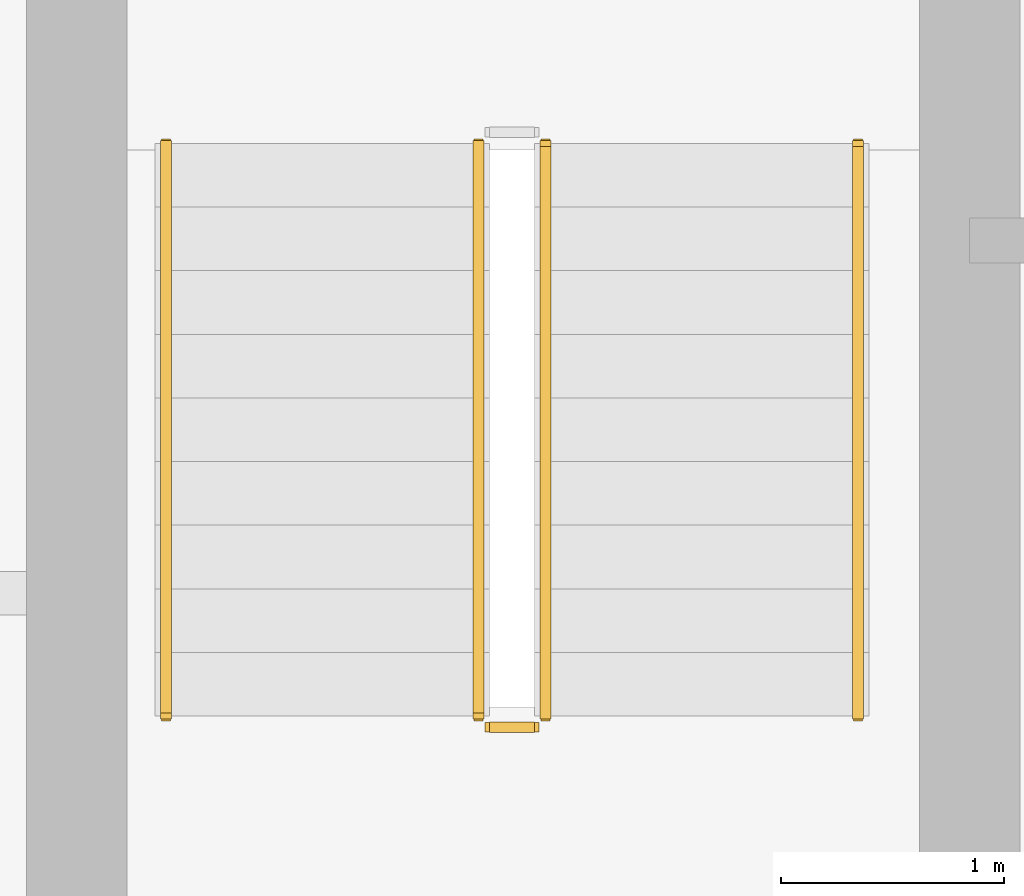
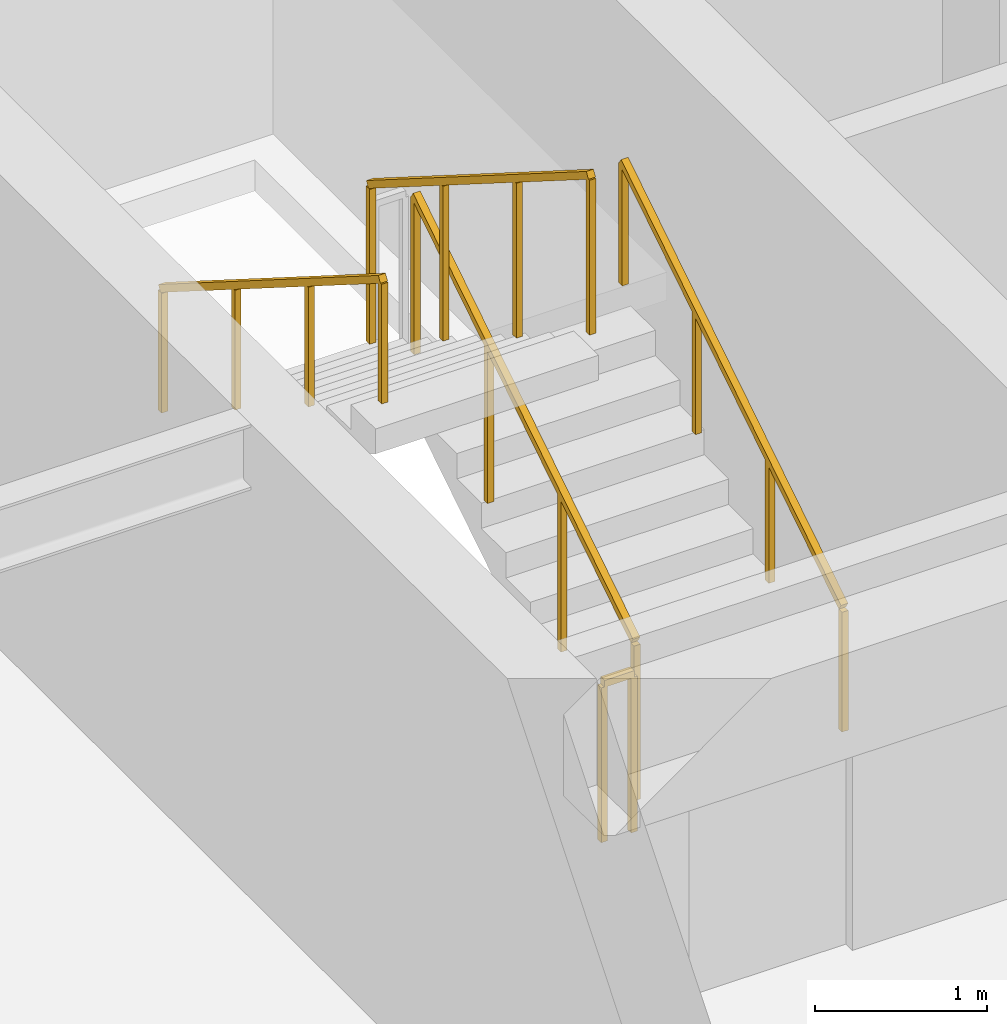
# One storey, part 28 of 30: 5 railings.
"""IFC4 building model written with IfcOpenShell, lengths in metres."""

from ifc_helpers import new_model, si_unit, direction, frame, origin, origin_2d, place, context, subcontext, project, spatial, rectangle, extrude, material, type_object, element, save


model = new_model("IFC4")

# Units and contexts
model_context = context("Model", 3, precision=1e-05, world=origin(), true_north=direction((0.0, 1.0)))
body_context = subcontext(model_context, "Body", "Model", "MODEL_VIEW")
ifc_project = project(units=[si_unit("LENGTHUNIT", "METRE"), si_unit("AREAUNIT", "SQUARE_METRE"), si_unit("VOLUMEUNIT", "CUBIC_METRE"), si_unit("PLANEANGLEUNIT", "RADIAN"), si_unit("MASSUNIT", "GRAM", prefix="KILO")], contexts=[model_context])

# Site, building, storey
site_placement = place(None, origin())
site = spatial("IfcSite", under=ifc_project, at=site_placement, CompositionType="ELEMENT")
building_placement = place(site_placement, origin())
building = spatial("IfcBuilding", under=site, at=building_placement, Name="Sarneth Arch Tower", CompositionType="ELEMENT")
storey_placement = place(building_placement, frame((0.0, 0.0, 161.39990234375)))
storey = spatial("IfcBuildingStorey", under=building, at=storey_placement, Name="L40", CompositionType="ELEMENT", Elevation=161.39990234375)

# Railings
ifc_material_1 = material(Name="Brushed Stainless Steel 304 tubular handrail", Category="steel")
railing_type_1 = type_object("IfcRailingType", Name="RAIL-HANDRAIL-900", PredefinedType="HANDRAIL", material=ifc_material_1)
railing_1_placement = place(storey_placement, frame((40.5, 41.449951171875, 0.18017578125)))
element("IfcRailing", 1, at=railing_1_placement, inside=storey, type_object=railing_type_1, Name="L40 ST-1 stair handrail 1", PredefinedType="HANDRAIL", context=body_context, shape_type="SweptSolid", body=[
    extrude(rectangle(XDim=0.048095703125, YDim=0.048095703125, at=origin_2d()), frame((0.0, 0.0, 0.8759765625), z_axis=(0.0, 0.845502289212, 0.533971796014), x_axis=(-1.0, 0.0, 0.0)), (0.0, 0.0, 1.0), 3.03369140625),
    extrude(rectangle(XDim=0.0419921875, YDim=0.0419921875, at=origin_2d()), origin(), (0.0, 0.0, 1.0), 0.851806640625),
    extrude(rectangle(XDim=0.0419921875, YDim=0.0419921875, at=origin_2d()), frame((0.0, 0.85498046875, 0.5400390625)), (0.0, 0.0, 1.0), 0.851806640625),
    extrude(rectangle(XDim=0.0419921875, YDim=0.0419921875, at=origin_2d()), frame((0.0, 1.7099609375, 1.079833984375)), (0.0, 0.0, 1.0), 0.851806640625),
    extrude(rectangle(XDim=0.0419921875, YDim=0.0419921875, at=origin_2d()), frame((0.0, 2.56494140625, 1.619873046875)), (0.0, 0.0, 1.0), 0.851806640625),
])
railing_2_placement = place(storey_placement, frame((37.39990234375, 44.014892578125, 1.97998046875)))
element("IfcRailing", 2, at=railing_2_placement, inside=storey, type_object=railing_type_1, Name="L40 ST-1 stair handrail 2", PredefinedType="HANDRAIL", context=body_context, shape_type="SweptSolid", body=[
    extrude(rectangle(XDim=0.048095703125, YDim=0.048095703125, at=origin_2d()), frame((0.0, 0.0, 0.8759765625), z_axis=(0.0, -0.845465955043, 0.534029323973), x_axis=(1.0, 0.0, 0.0)), (0.0, 0.0, 1.0), 3.03369140625),
    extrude(rectangle(XDim=0.0419921875, YDim=0.0419921875, at=origin_2d()), origin(), (0.0, 0.0, 1.0), 0.851806640625),
    extrude(rectangle(XDim=0.0419921875, YDim=0.0419921875, at=origin_2d()), frame((0.0, -0.85498046875, 0.5400390625)), (0.0, 0.0, 1.0), 0.851806640625),
    extrude(rectangle(XDim=0.0419921875, YDim=0.0419921875, at=origin_2d()), frame((0.0, -1.7099609375, 1.080078125)), (0.0, 0.0, 1.0), 0.851806640625),
    extrude(rectangle(XDim=0.0419921875, YDim=0.0419921875, at=origin_2d()), frame((0.0, -2.56494140625, 1.6201171875)), (0.0, 0.0, 1.0), 0.851806640625),
])
ifc_material_2 = material(Name="Painted Steel S275 stair well guard", Category="steel")
railing_type_2 = type_object("IfcRailingType", Name="RAIL-STAIR-GUARD", PredefinedType="GUARDRAIL", material=ifc_material_2)
railing_3_placement = place(storey_placement, frame((39.10009765625, 41.449951171875, 0.18017578125)))
element("IfcRailing", 3, at=railing_3_placement, inside=storey, type_object=railing_type_2, Name="L40 ST-1 stair guard 1", PredefinedType="GUARDRAIL", context=body_context, shape_type="SweptSolid", body=[
    extrude(rectangle(XDim=0.048095703125, YDim=0.048095703125, at=origin_2d()), frame((0.0, 0.0, 1.1259765625), z_axis=(0.0, 0.845502289212, 0.533971796014), x_axis=(-1.0, 0.0, 0.0)), (0.0, 0.0, 1.0), 3.03369140625),
    extrude(rectangle(XDim=0.0419921875, YDim=0.0419921875, at=origin_2d()), origin(), (0.0, 0.0, 1.0), 1.101806640625),
    extrude(rectangle(XDim=0.0419921875, YDim=0.0419921875, at=origin_2d()), frame((0.0, 0.85498046875, 0.5400390625)), (0.0, 0.0, 1.0), 1.101806640625),
    extrude(rectangle(XDim=0.0419921875, YDim=0.0419921875, at=origin_2d()), frame((0.0, 1.7099609375, 1.079833984375)), (0.0, 0.0, 1.0), 1.101806640625),
    extrude(rectangle(XDim=0.0419921875, YDim=0.0419921875, at=origin_2d()), frame((0.0, 2.56494140625, 1.619873046875)), (0.0, 0.0, 1.0), 1.101806640625),
])
railing_4_placement = place(storey_placement, frame((38.800048828125, 44.014892578125, 1.97998046875)))
element("IfcRailing", 4, at=railing_4_placement, inside=storey, type_object=railing_type_2, Name="L40 ST-1 stair guard 3", PredefinedType="GUARDRAIL", context=body_context, shape_type="SweptSolid", body=[
    extrude(rectangle(XDim=0.048095703125, YDim=0.048095703125, at=origin_2d()), frame((0.0, 0.0, 1.1259765625), z_axis=(0.0, -0.845465955043, 0.534029323973), x_axis=(1.0, 0.0, 0.0)), (0.0, 0.0, 1.0), 3.03369140625),
    extrude(rectangle(XDim=0.0419921875, YDim=0.0419921875, at=origin_2d()), origin(), (0.0, 0.0, 1.0), 1.101806640625),
    extrude(rectangle(XDim=0.0419921875, YDim=0.0419921875, at=origin_2d()), frame((0.0, -0.85498046875, 0.5400390625)), (0.0, 0.0, 1.0), 1.101806640625),
    extrude(rectangle(XDim=0.0419921875, YDim=0.0419921875, at=origin_2d()), frame((0.0, -1.7099609375, 1.080078125)), (0.0, 0.0, 1.0), 1.101806640625),
    extrude(rectangle(XDim=0.0419921875, YDim=0.0419921875, at=origin_2d()), frame((0.0, -2.56494140625, 1.6201171875)), (0.0, 0.0, 1.0), 1.101806640625),
])
railing_5_placement = place(storey_placement, frame((39.050048828125, 41.39990234375, 0.0)))
element("IfcRailing", 5, at=railing_5_placement, inside=storey, type_object=railing_type_2, Name="L40 ST-1 stair guard 4", PredefinedType="GUARDRAIL", context=body_context, shape_type="SweptSolid", body=[
    extrude(rectangle(XDim=0.048095703125, YDim=0.048095703125, at=origin_2d()), frame((0.0, 0.0, 1.1259765625), z_axis=(-1.0, 0.0, 0.0), x_axis=(0.0, -1.0, 0.0)), (0.0, 0.0, 1.0), 0.199951171875),
    extrude(rectangle(XDim=0.0419921875, YDim=0.0419921875, at=origin_2d()), origin(), (0.0, 0.0, 1.0), 1.101806640625),
    extrude(rectangle(XDim=0.0419921875, YDim=0.0419921875, at=origin_2d()), frame((-0.199951171875, 0.0, 0.0)), (0.0, 0.0, 1.0), 1.101806640625),
])

save(model, "model.ifc")
